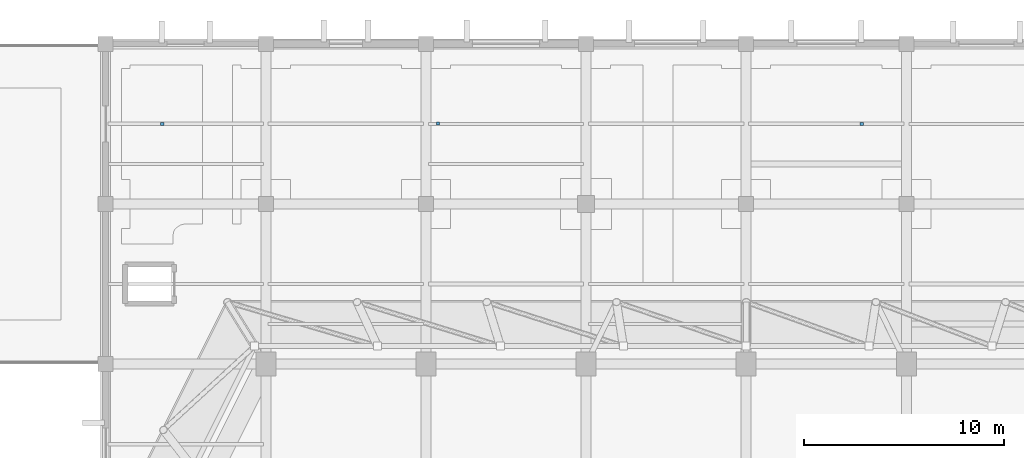
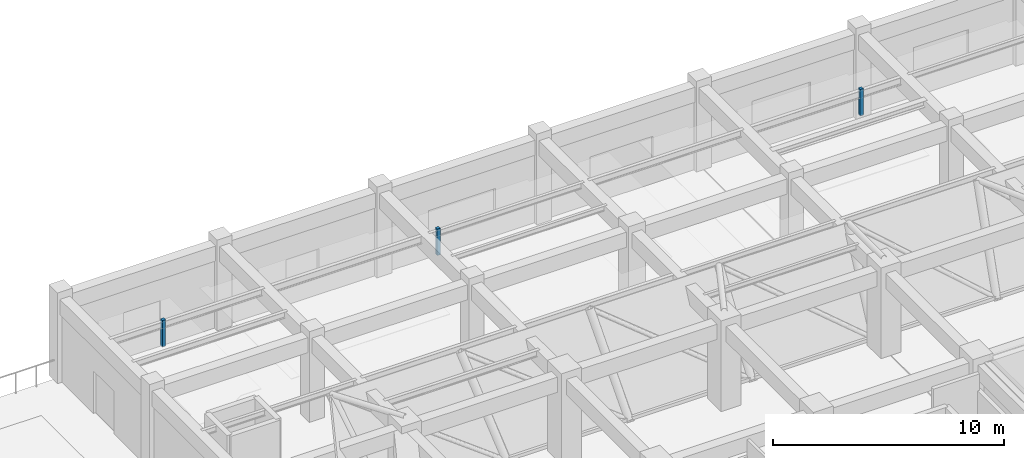
# One storey, part 40 of 46: 3 discrete accessories.
"""IFC4 building model written with IfcOpenShell, lengths in metres."""

from ifc_helpers import new_model, si_unit, direction, frame, origin, origin_2d, place, context, subcontext, project, spatial, rectangle, extrude, material, type_object, element, save


model = new_model("IFC4")

# Units and contexts
model_context = context("Model", 3, precision=1e-05, world=origin(), true_north=direction((0.0, 1.0)))
body_context = subcontext(model_context, "Body", "Model", "MODEL_VIEW")
ifc_project = project(units=[si_unit("LENGTHUNIT", "METRE"), si_unit("AREAUNIT", "SQUARE_METRE"), si_unit("VOLUMEUNIT", "CUBIC_METRE"), si_unit("PLANEANGLEUNIT", "RADIAN"), si_unit("MASSUNIT", "GRAM", prefix="KILO")], contexts=[model_context])

# Site, building, storey
site_placement = place(None, origin())
site = spatial("IfcSite", under=ifc_project, at=site_placement, CompositionType="ELEMENT")
building_placement = place(site_placement, origin())
building = spatial("IfcBuilding", under=site, at=building_placement, Name="Tazarka Park Arena", CompositionType="ELEMENT")
storey_placement = place(building_placement, frame((0.0, 0.0, 10.199951171875)))
storey = spatial("IfcBuildingStorey", under=building, at=storey_placement, Name="L02", CompositionType="ELEMENT", Elevation=10.199951171875)

# Discrete accessories
ifc_material = material(Name="Steel S355", Category="steel")
discrete_accessory_type = type_object("IfcDiscreteAccessoryType", Name="BRK-01", PredefinedType="BRACKET", material=ifc_material)
for number, where, z_axis, x_axis, name in (
    (1, (58.824951171875, 124.0, 3.10009765625), (0.0, 0.0, 1.0), (1.0, 0.0, 0.0), "CHG-L02-006"),
    (2, (72.60009765625, 124.02490234375, 3.10009765625), (0.0, 0.0, 1.0), (1.0, 0.0, 0.0), "CHG-L02-007"),
    (3, (93.77490234375, 124.0, 3.10009765625), (0.0, 0.0, 1.0), (1.0, 0.0, 0.0), "CHG-L02-008"),
):
    element("IfcDiscreteAccessory", number, at=place(storey_placement, frame(where, z_axis=z_axis, x_axis=x_axis)), inside=storey, type_object=discrete_accessory_type, Name=name, PredefinedType="BRACKET", context=body_context, shape_type="SweptSolid", body=[
        extrude(rectangle(XDim=0.159912109375, YDim=0.159912109375, at=origin_2d()), origin(), (0.0, 0.0, 1.0), 1.39990234375),
    ])

save(model, "model.ifc")
